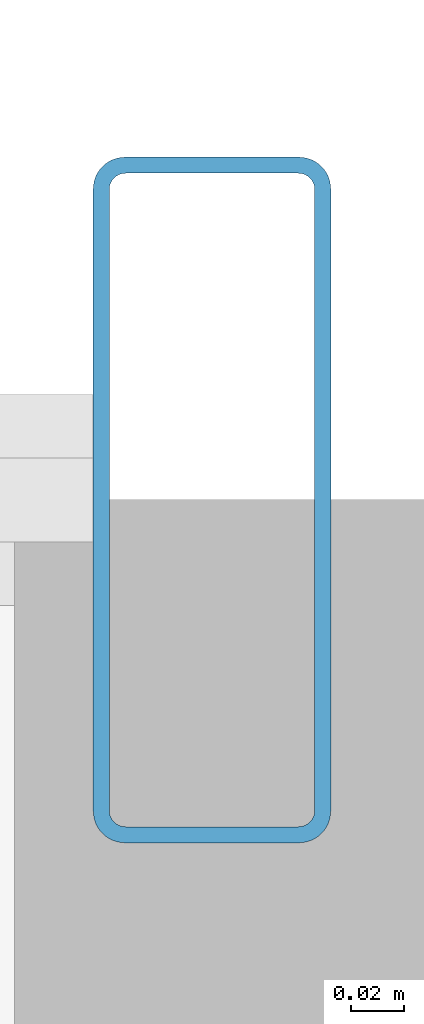
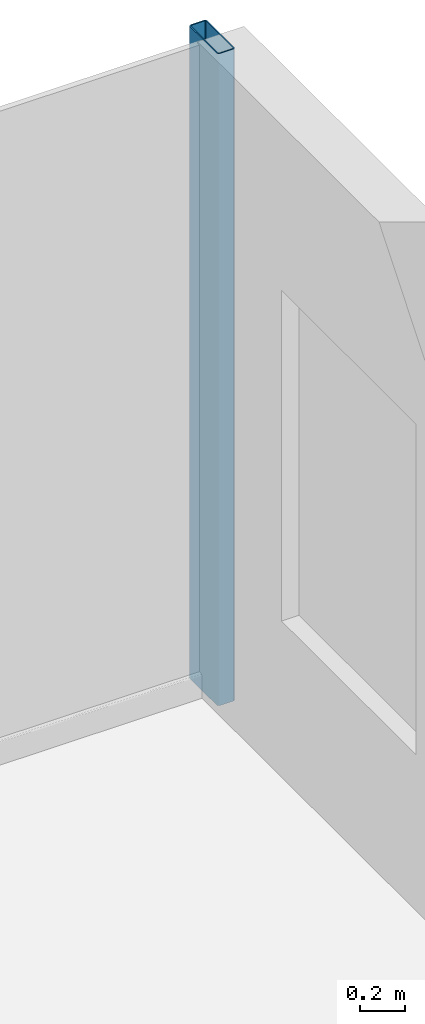
# One storey, part 14 of 25: 1 member, 1 element without a shape of its own.
"""IFC4 building model written with IfcOpenShell, lengths in metres."""

from ifc_helpers import new_model, si_unit, direction, frame, origin, origin_2d, place, context, subcontext, project, spatial, hollow_rectangle, extrude, source, transform, mapped, material, layer, layer_set, material_profile, profile_set, type_object, element, aggregate, save


model = new_model("IFC4")

# Units and contexts
model_context = context("Model", 3, precision=1e-05, world=origin(), true_north=direction((0.0, 1.0)))
body_context = subcontext(model_context, "Body", "Model", "MODEL_VIEW")
ifc_project = project(units=[si_unit("LENGTHUNIT", "METRE"), si_unit("AREAUNIT", "SQUARE_METRE"), si_unit("VOLUMEUNIT", "CUBIC_METRE"), si_unit("PLANEANGLEUNIT", "RADIAN"), si_unit("MASSUNIT", "GRAM", prefix="KILO")], contexts=[model_context])

# Site, building, storey
site_placement = place(None, origin())
site = spatial("IfcSite", under=ifc_project, at=site_placement, CompositionType="ELEMENT")
building_placement = place(site_placement, origin())
building = spatial("IfcBuilding", under=site, at=building_placement, Name="Nefas-Gora Pilgrimage Tower", CompositionType="ELEMENT")
storey_placement = place(building_placement, frame((0.0, 0.0, 74.800048828125)))
storey = spatial("IfcBuildingStorey", under=building, at=storey_placement, Name="L17", CompositionType="ELEMENT", Elevation=74.800048828125)

# Curtain wall, member
ifc_material_1 = material(Name="Dark ceramic-fritted solar-control aluminium-glass curtain wall", Category="aluminium")
ifc_layer = layer(ifc_material_1, 0.219970703125)
ifc_layer_set = layer_set([ifc_layer], Name="Dark ceramic-fritted solar-control aluminium-glass curtain wall")
curtain_wall_type = type_object("IfcCurtainWallType", Name="CW-SYS-2", PredefinedType="NOTDEFINED", material=ifc_layer_set)
curtain_wall_placement = place(storey_placement, origin())
curtain_wall = element("IfcCurtainWall", 1, at=curtain_wall_placement, inside=storey, type_object=curtain_wall_type, Name="L17 Unitised Curtain Wall CW2", PredefinedType="NOTDEFINED")
ifc_material_2 = material(Name="Anodised architectural aluminium", Category="aluminium")
ifc_material_profile = material_profile(ifc_material_2, hollow_rectangle(XDim=0.090087890625, YDim=0.260009765625, WallThickness=0.006103515625, InnerFilletRadius=0.006103515625, OuterFilletRadius=0.011962890625, at=origin_2d()), Name="ALU MULLION 90x260")
ifc_profile_set = profile_set([ifc_material_profile], Name="Anodised architectural aluminium")
member_type = type_object("IfcMemberType", Name="CWM-MUL-2", PredefinedType="MULLION", material=ifc_profile_set)
shared_shape = source(origin(), body_context, "Body", "SweptSolid", [
    extrude(hollow_rectangle(XDim=0.090087890625, YDim=0.260009765625, WallThickness=0.006103515625, InnerFilletRadius=0.006103515625, OuterFilletRadius=0.011962890625, at=origin_2d()), origin(), (0.0, 0.0, 1.0), 3.550048828125),
])
member_placement = place(storey_placement, frame((28.824951171875, 23.02001953125, 0.0), z_axis=(0.0, 0.0, 1.0), x_axis=(-1.0, 0.0, 0.0)))
member = element("IfcMember", 2, at=member_placement, type_object=member_type, Name="CW2 Mullion 1", PredefinedType="MULLION", context=body_context, shape_type="MappedRepresentation", body=[
    mapped(shared_shape, transform((0.0, 0.0, 0.0), x_axis=(1.0, 0.0, 0.0), y_axis=(0.0, 1.0, 0.0), z_axis=(0.0, 0.0, 1.0), scale=1.0)),
])
aggregate(curtain_wall, [member])

save(model, "model.ifc")
